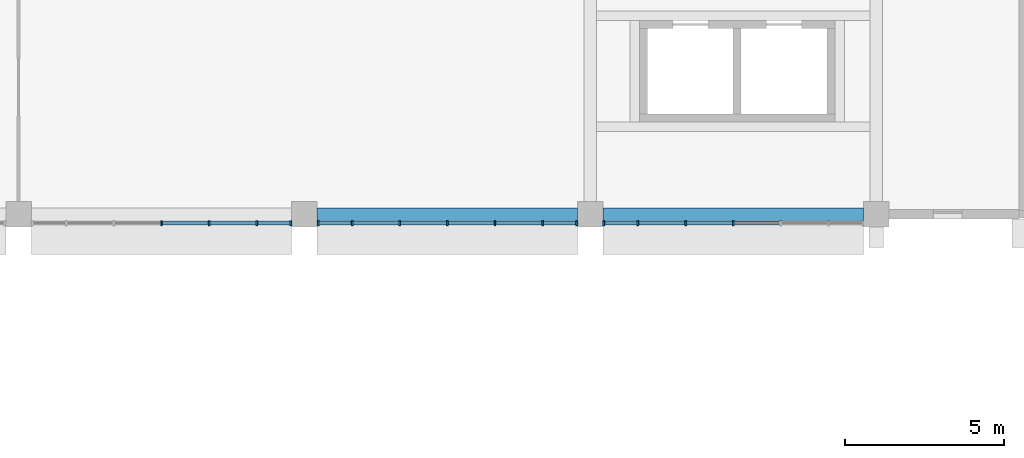
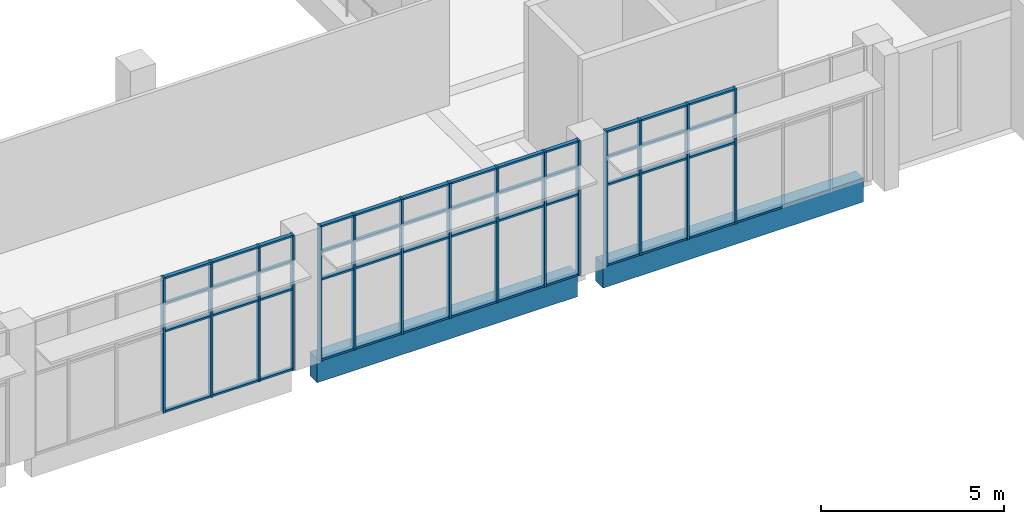
# One storey, part 5 of 79: 64 members, 2 beams, 3 elements without a shape of their own.
"""IFC4 building model written with IfcOpenShell, lengths in metres."""

from ifc_helpers import new_model, si_unit, direction, frame, origin, origin_2d, place, context, subcontext, project, spatial, rectangle, extrude, material, layer, layer_set, material_profile, profile_set, type_object, element, aggregate, save


model = new_model("IFC4")

# Units and contexts
model_context = context("Model", 3, precision=1e-05, world=origin(), true_north=direction((0.0, 1.0)))
body_context = subcontext(model_context, "Body", "Model", "MODEL_VIEW")
ifc_project = project(units=[si_unit("LENGTHUNIT", "METRE"), si_unit("AREAUNIT", "SQUARE_METRE"), si_unit("VOLUMEUNIT", "CUBIC_METRE"), si_unit("PLANEANGLEUNIT", "RADIAN"), si_unit("MASSUNIT", "GRAM", prefix="KILO")], contexts=[model_context])

# Site, building, storey
site_placement = place(None, origin())
site = spatial("IfcSite", under=ifc_project, at=site_placement, CompositionType="ELEMENT")
building_placement = place(site_placement, origin())
building = spatial("IfcBuilding", under=site, at=building_placement, Name="Guidao Yard Department Store", CompositionType="ELEMENT")
storey_placement = place(building_placement, frame((0.0, 0.0, 15.0)))
storey = spatial("IfcBuildingStorey", under=building, at=storey_placement, Name="L03", CompositionType="ELEMENT", Elevation=15.0)

# Curtain wall, members
ifc_material_1 = material(Name="Aluminium and glass", Category="aluminium")
ifc_layer = layer(ifc_material_1, 0.159912109375)
ifc_layer_set = layer_set([ifc_layer], Name="Hall front curtain wall CW2 1500 module")
curtain_wall_type = type_object("IfcCurtainWallType", Name="Hall front curtain wall CW2 1500 module", PredefinedType="NOTDEFINED", material=ifc_layer_set)
curtain_wall_1_placement = place(storey_placement, origin())
curtain_wall_1 = element("IfcCurtainWall", 1, at=curtain_wall_1_placement, inside=storey, type_object=curtain_wall_type, Name="Hall front curtain wall", PredefinedType="NOTDEFINED")
ifc_material_2 = material(Name="Aluminium 6063-T5", Category="aluminium")
ifc_material_profile_1 = material_profile(ifc_material_2, rectangle(XDim=0.06005859375, YDim=0.159912109375, at=origin_2d()), Name="Mullion M1 60 x 160 aluminium pressure plate")
ifc_profile_set_1 = profile_set([ifc_material_profile_1], Name="Aluminium 6063-T5")
member_type_1 = type_object("IfcMemberType", Name="Mullion M1 60 x 160 aluminium pressure plate", PredefinedType="MULLION", material=ifc_profile_set_1)
member_1_placement = place(storey_placement, frame((31.5, 44.719970703125, 0.0), z_axis=(0.0, 0.0, 1.0), x_axis=(-1.0, 0.0, 0.0)))
member_1 = element("IfcMember", 2, at=member_1_placement, type_object=member_type_1, Name="CW-HF-L03-03 mullion 4", PredefinedType="MULLION", context=body_context, shape_type="SweptSolid", body=[
    extrude(rectangle(XDim=0.06005859375, YDim=0.159912109375, at=origin_2d()), origin(), (0.0, 0.0, 1.0), 4.5),
])
member_2_placement = place(storey_placement, frame((33.0, 44.719970703125, 0.0), z_axis=(0.0, 0.0, 1.0), x_axis=(-1.0, 0.0, 0.0)))
member_2 = element("IfcMember", 3, at=member_2_placement, type_object=member_type_1, Name="CW-HF-L03-03 mullion 5", PredefinedType="MULLION", context=body_context, shape_type="SweptSolid", body=[
    extrude(rectangle(XDim=0.06005859375, YDim=0.159912109375, at=origin_2d()), origin(), (0.0, 0.0, 1.0), 4.5),
])
member_3_placement = place(storey_placement, frame((34.5, 44.719970703125, 0.0), z_axis=(0.0, 0.0, 1.0), x_axis=(-1.0, 0.0, 0.0)))
member_3 = element("IfcMember", 4, at=member_3_placement, type_object=member_type_1, Name="CW-HF-L03-03 mullion 6", PredefinedType="MULLION", context=body_context, shape_type="SweptSolid", body=[
    extrude(rectangle(XDim=0.06005859375, YDim=0.159912109375, at=origin_2d()), origin(), (0.0, 0.0, 1.0), 4.5),
])
member_4_placement = place(storey_placement, frame((35.570068359375, 44.719970703125, 0.0), z_axis=(0.0, 0.0, 1.0), x_axis=(-1.0, 0.0, 0.0)))
member_4 = element("IfcMember", 5, at=member_4_placement, type_object=member_type_1, Name="CW-HF-L03-03 mullion 7", PredefinedType="MULLION", context=body_context, shape_type="SweptSolid", body=[
    extrude(rectangle(XDim=0.06005859375, YDim=0.159912109375, at=origin_2d()), origin(), (0.0, 0.0, 1.0), 4.5),
])

curtain_wall_2_placement = place(storey_placement, origin())
curtain_wall_2 = element("IfcCurtainWall", 6, at=curtain_wall_2_placement, inside=storey, type_object=curtain_wall_type, Name="Hall front curtain wall", PredefinedType="NOTDEFINED")
member_5_placement = place(storey_placement, frame((36.429931640625, 44.719970703125, 0.0), z_axis=(0.0, 0.0, 1.0), x_axis=(-1.0, 0.0, 0.0)))
member_5 = element("IfcMember", 7, at=member_5_placement, type_object=member_type_1, Name="CW-HF-L03-04 mullion 1", PredefinedType="MULLION", context=body_context, shape_type="SweptSolid", body=[
    extrude(rectangle(XDim=0.06005859375, YDim=0.159912109375, at=origin_2d()), origin(), (0.0, 0.0, 1.0), 4.5),
])
member_6_placement = place(storey_placement, frame((37.5, 44.719970703125, 0.0), z_axis=(0.0, 0.0, 1.0), x_axis=(-1.0, 0.0, 0.0)))
member_6 = element("IfcMember", 8, at=member_6_placement, type_object=member_type_1, Name="CW-HF-L03-04 mullion 2", PredefinedType="MULLION", context=body_context, shape_type="SweptSolid", body=[
    extrude(rectangle(XDim=0.06005859375, YDim=0.159912109375, at=origin_2d()), origin(), (0.0, 0.0, 1.0), 4.5),
])
member_7_placement = place(storey_placement, frame((39.0, 44.719970703125, 0.0), z_axis=(0.0, 0.0, 1.0), x_axis=(-1.0, 0.0, 0.0)))
member_7 = element("IfcMember", 9, at=member_7_placement, type_object=member_type_1, Name="CW-HF-L03-04 mullion 3", PredefinedType="MULLION", context=body_context, shape_type="SweptSolid", body=[
    extrude(rectangle(XDim=0.06005859375, YDim=0.159912109375, at=origin_2d()), origin(), (0.0, 0.0, 1.0), 4.5),
])
member_8_placement = place(storey_placement, frame((40.5, 44.719970703125, 0.0), z_axis=(0.0, 0.0, 1.0), x_axis=(-1.0, 0.0, 0.0)))
member_8 = element("IfcMember", 10, at=member_8_placement, type_object=member_type_1, Name="CW-HF-L03-04 mullion 4", PredefinedType="MULLION", context=body_context, shape_type="SweptSolid", body=[
    extrude(rectangle(XDim=0.06005859375, YDim=0.159912109375, at=origin_2d()), origin(), (0.0, 0.0, 1.0), 4.5),
])
member_9_placement = place(storey_placement, frame((42.0, 44.719970703125, 0.0), z_axis=(0.0, 0.0, 1.0), x_axis=(-1.0, 0.0, 0.0)))
member_9 = element("IfcMember", 11, at=member_9_placement, type_object=member_type_1, Name="CW-HF-L03-04 mullion 5", PredefinedType="MULLION", context=body_context, shape_type="SweptSolid", body=[
    extrude(rectangle(XDim=0.06005859375, YDim=0.159912109375, at=origin_2d()), origin(), (0.0, 0.0, 1.0), 4.5),
])
member_10_placement = place(storey_placement, frame((43.5, 44.719970703125, 0.0), z_axis=(0.0, 0.0, 1.0), x_axis=(-1.0, 0.0, 0.0)))
member_10 = element("IfcMember", 12, at=member_10_placement, type_object=member_type_1, Name="CW-HF-L03-04 mullion 6", PredefinedType="MULLION", context=body_context, shape_type="SweptSolid", body=[
    extrude(rectangle(XDim=0.06005859375, YDim=0.159912109375, at=origin_2d()), origin(), (0.0, 0.0, 1.0), 4.5),
])
member_11_placement = place(storey_placement, frame((44.570068359375, 44.719970703125, 0.0), z_axis=(0.0, 0.0, 1.0), x_axis=(-1.0, 0.0, 0.0)))
member_11 = element("IfcMember", 13, at=member_11_placement, type_object=member_type_1, Name="CW-HF-L03-04 mullion 7", PredefinedType="MULLION", context=body_context, shape_type="SweptSolid", body=[
    extrude(rectangle(XDim=0.06005859375, YDim=0.159912109375, at=origin_2d()), origin(), (0.0, 0.0, 1.0), 4.5),
])

curtain_wall_3_placement = place(storey_placement, origin())
curtain_wall_3 = element("IfcCurtainWall", 14, at=curtain_wall_3_placement, inside=storey, type_object=curtain_wall_type, Name="Hall front curtain wall", PredefinedType="NOTDEFINED")
member_12_placement = place(storey_placement, frame((45.429931640625, 44.719970703125, 0.0), z_axis=(0.0, 0.0, 1.0), x_axis=(-1.0, 0.0, 0.0)))
member_12 = element("IfcMember", 15, at=member_12_placement, type_object=member_type_1, Name="CW-HF-L03-05 mullion 1", PredefinedType="MULLION", context=body_context, shape_type="SweptSolid", body=[
    extrude(rectangle(XDim=0.06005859375, YDim=0.159912109375, at=origin_2d()), origin(), (0.0, 0.0, 1.0), 4.5),
])
member_13_placement = place(storey_placement, frame((46.5, 44.719970703125, 0.0), z_axis=(0.0, 0.0, 1.0), x_axis=(-1.0, 0.0, 0.0)))
member_13 = element("IfcMember", 16, at=member_13_placement, type_object=member_type_1, Name="CW-HF-L03-05 mullion 2", PredefinedType="MULLION", context=body_context, shape_type="SweptSolid", body=[
    extrude(rectangle(XDim=0.06005859375, YDim=0.159912109375, at=origin_2d()), origin(), (0.0, 0.0, 1.0), 4.5),
])
member_14_placement = place(storey_placement, frame((48.0, 44.719970703125, 0.0), z_axis=(0.0, 0.0, 1.0), x_axis=(-1.0, 0.0, 0.0)))
member_14 = element("IfcMember", 17, at=member_14_placement, type_object=member_type_1, Name="CW-HF-L03-05 mullion 3", PredefinedType="MULLION", context=body_context, shape_type="SweptSolid", body=[
    extrude(rectangle(XDim=0.06005859375, YDim=0.159912109375, at=origin_2d()), origin(), (0.0, 0.0, 1.0), 4.5),
])
member_15_placement = place(storey_placement, frame((49.5, 44.719970703125, 0.0), z_axis=(0.0, 0.0, 1.0), x_axis=(-1.0, 0.0, 0.0)))
member_15 = element("IfcMember", 18, at=member_15_placement, type_object=member_type_1, Name="CW-HF-L03-05 mullion 4", PredefinedType="MULLION", context=body_context, shape_type="SweptSolid", body=[
    extrude(rectangle(XDim=0.06005859375, YDim=0.159912109375, at=origin_2d()), origin(), (0.0, 0.0, 1.0), 4.5),
])

# Beams
ifc_material_3 = material(Name="Concrete C40", Category="concrete")
ifc_material_profile_2 = material_profile(ifc_material_3, rectangle(XDim=0.39990234375, YDim=0.800048828125, at=origin_2d()), Name="Spandrel beam 400 x 800 C40")
ifc_profile_set_2 = profile_set([ifc_material_profile_2], Name="Concrete C40")
beam_type = type_object("IfcBeamType", Name="Spandrel beam 400 x 800 C40", PredefinedType="SPANDREL", material=ifc_profile_set_2)
for number, where, z_axis, x_axis, name in (
    (19, (36.39990234375, 45.0, -0.39990234375), (1.0, 0.0, 0.0), (0.0, 1.0, 0.0), "Beam EB04"),
    (20, (45.39990234375, 45.0, -0.39990234375), (1.0, 0.0, 0.0), (0.0, 1.0, 0.0), "Beam EB05"),
):
    element("IfcBeam", number, at=place(storey_placement, frame(where, z_axis=z_axis, x_axis=x_axis)), inside=storey, type_object=beam_type, Name=name, PredefinedType="SPANDREL", context=body_context, shape_type="SweptSolid", body=[
        extrude(rectangle(XDim=0.39990234375, YDim=0.800048828125, at=origin_2d()), origin(), (0.0, 0.0, 1.0), 8.2001953125),
    ])

# Member
ifc_material_4 = material(Name="Aluminium 6063-T5", Category="aluminium")
ifc_material_profile_3 = material_profile(ifc_material_4, rectangle(XDim=0.1201171875, YDim=0.06005859375, at=origin_2d()), Name="Transom T1 60 x 120 aluminium pressure plate")
ifc_profile_set_3 = profile_set([ifc_material_profile_3], Name="Aluminium 6063-T5")
member_type_2 = type_object("IfcMemberType", Name="Transom T1 60 x 120 aluminium pressure plate", PredefinedType="USERDEFINED", material=ifc_profile_set_3)
member_16_placement = place(storey_placement, frame((32.969970703125, 44.719970703125, 0.030029296875), z_axis=(-1.0, 0.0, 0.0), x_axis=(0.0, -1.0, 0.0)))
member_16 = element("IfcMember", 21, at=member_16_placement, type_object=member_type_2, Name="CW-HF-L03-03 transom 4.1", ObjectType="TRANSOM", PredefinedType="USERDEFINED", context=body_context, shape_type="SweptSolid", body=[
    extrude(rectangle(XDim=0.1201171875, YDim=0.06005859375, at=origin_2d()), origin(), (0.0, 0.0, 1.0), 1.43994140625),
])

member_17_placement = place(storey_placement, frame((32.969970703125, 44.719970703125, 2.699951171875), z_axis=(-1.0, 0.0, 0.0), x_axis=(0.0, -1.0, 0.0)))
member_17 = element("IfcMember", 22, at=member_17_placement, type_object=member_type_2, Name="CW-HF-L03-03 transom 4.2", ObjectType="TRANSOM", PredefinedType="USERDEFINED", context=body_context, shape_type="SweptSolid", body=[
    extrude(rectangle(XDim=0.1201171875, YDim=0.06005859375, at=origin_2d()), origin(), (0.0, 0.0, 1.0), 1.43994140625),
])

member_18_placement = place(storey_placement, frame((32.969970703125, 44.719970703125, 3.60009765625), z_axis=(-1.0, 0.0, 0.0), x_axis=(0.0, -1.0, 0.0)))
member_18 = element("IfcMember", 23, at=member_18_placement, type_object=member_type_2, Name="CW-HF-L03-03 transom 4.3", ObjectType="TRANSOM", PredefinedType="USERDEFINED", context=body_context, shape_type="SweptSolid", body=[
    extrude(rectangle(XDim=0.1201171875, YDim=0.06005859375, at=origin_2d()), origin(), (0.0, 0.0, 1.0), 1.43994140625),
])

member_19_placement = place(storey_placement, frame((32.969970703125, 44.719970703125, 4.469970703125), z_axis=(-1.0, 0.0, 0.0), x_axis=(0.0, -1.0, 0.0)))
member_19 = element("IfcMember", 24, at=member_19_placement, type_object=member_type_2, Name="CW-HF-L03-03 transom 4.4", ObjectType="TRANSOM", PredefinedType="USERDEFINED", context=body_context, shape_type="SweptSolid", body=[
    extrude(rectangle(XDim=0.1201171875, YDim=0.06005859375, at=origin_2d()), origin(), (0.0, 0.0, 1.0), 1.43994140625),
])

member_20_placement = place(storey_placement, frame((34.469970703125, 44.719970703125, 0.030029296875), z_axis=(-1.0, 0.0, 0.0), x_axis=(0.0, -1.0, 0.0)))
member_20 = element("IfcMember", 25, at=member_20_placement, type_object=member_type_2, Name="CW-HF-L03-03 transom 5.1", ObjectType="TRANSOM", PredefinedType="USERDEFINED", context=body_context, shape_type="SweptSolid", body=[
    extrude(rectangle(XDim=0.1201171875, YDim=0.06005859375, at=origin_2d()), origin(), (0.0, 0.0, 1.0), 1.43994140625),
])

member_21_placement = place(storey_placement, frame((34.469970703125, 44.719970703125, 2.699951171875), z_axis=(-1.0, 0.0, 0.0), x_axis=(0.0, -1.0, 0.0)))
member_21 = element("IfcMember", 26, at=member_21_placement, type_object=member_type_2, Name="CW-HF-L03-03 transom 5.2", ObjectType="TRANSOM", PredefinedType="USERDEFINED", context=body_context, shape_type="SweptSolid", body=[
    extrude(rectangle(XDim=0.1201171875, YDim=0.06005859375, at=origin_2d()), origin(), (0.0, 0.0, 1.0), 1.43994140625),
])

member_22_placement = place(storey_placement, frame((34.469970703125, 44.719970703125, 3.60009765625), z_axis=(-1.0, 0.0, 0.0), x_axis=(0.0, -1.0, 0.0)))
member_22 = element("IfcMember", 27, at=member_22_placement, type_object=member_type_2, Name="CW-HF-L03-03 transom 5.3", ObjectType="TRANSOM", PredefinedType="USERDEFINED", context=body_context, shape_type="SweptSolid", body=[
    extrude(rectangle(XDim=0.1201171875, YDim=0.06005859375, at=origin_2d()), origin(), (0.0, 0.0, 1.0), 1.43994140625),
])

member_23_placement = place(storey_placement, frame((34.469970703125, 44.719970703125, 4.469970703125), z_axis=(-1.0, 0.0, 0.0), x_axis=(0.0, -1.0, 0.0)))
member_23 = element("IfcMember", 28, at=member_23_placement, type_object=member_type_2, Name="CW-HF-L03-03 transom 5.4", ObjectType="TRANSOM", PredefinedType="USERDEFINED", context=body_context, shape_type="SweptSolid", body=[
    extrude(rectangle(XDim=0.1201171875, YDim=0.06005859375, at=origin_2d()), origin(), (0.0, 0.0, 1.0), 1.43994140625),
])

member_24_placement = place(storey_placement, frame((35.5400390625, 44.719970703125, 0.030029296875), z_axis=(-1.0, 0.0, 0.0), x_axis=(0.0, -1.0, 0.0)))
member_24 = element("IfcMember", 29, at=member_24_placement, type_object=member_type_2, Name="CW-HF-L03-03 transom 6.1", ObjectType="TRANSOM", PredefinedType="USERDEFINED", context=body_context, shape_type="SweptSolid", body=[
    extrude(rectangle(XDim=0.1201171875, YDim=0.06005859375, at=origin_2d()), origin(), (0.0, 0.0, 1.0), 1.010009765625),
])

member_25_placement = place(storey_placement, frame((35.5400390625, 44.719970703125, 2.699951171875), z_axis=(-1.0, 0.0, 0.0), x_axis=(0.0, -1.0, 0.0)))
member_25 = element("IfcMember", 30, at=member_25_placement, type_object=member_type_2, Name="CW-HF-L03-03 transom 6.2", ObjectType="TRANSOM", PredefinedType="USERDEFINED", context=body_context, shape_type="SweptSolid", body=[
    extrude(rectangle(XDim=0.1201171875, YDim=0.06005859375, at=origin_2d()), origin(), (0.0, 0.0, 1.0), 1.010009765625),
])

member_26_placement = place(storey_placement, frame((35.5400390625, 44.719970703125, 3.60009765625), z_axis=(-1.0, 0.0, 0.0), x_axis=(0.0, -1.0, 0.0)))
member_26 = element("IfcMember", 31, at=member_26_placement, type_object=member_type_2, Name="CW-HF-L03-03 transom 6.3", ObjectType="TRANSOM", PredefinedType="USERDEFINED", context=body_context, shape_type="SweptSolid", body=[
    extrude(rectangle(XDim=0.1201171875, YDim=0.06005859375, at=origin_2d()), origin(), (0.0, 0.0, 1.0), 1.010009765625),
])

member_27_placement = place(storey_placement, frame((35.5400390625, 44.719970703125, 4.469970703125), z_axis=(-1.0, 0.0, 0.0), x_axis=(0.0, -1.0, 0.0)))
member_27 = element("IfcMember", 32, at=member_27_placement, type_object=member_type_2, Name="CW-HF-L03-03 transom 6.4", ObjectType="TRANSOM", PredefinedType="USERDEFINED", context=body_context, shape_type="SweptSolid", body=[
    extrude(rectangle(XDim=0.1201171875, YDim=0.06005859375, at=origin_2d()), origin(), (0.0, 0.0, 1.0), 1.010009765625),
])

aggregate(curtain_wall_1, [member_1, member_2, member_3, member_4, member_16, member_17, member_18, member_19, member_20, member_21, member_22, member_23, member_24, member_25, member_26, member_27])

member_28_placement = place(storey_placement, frame((37.469970703125, 44.719970703125, 0.030029296875), z_axis=(-1.0, 0.0, 0.0), x_axis=(0.0, -1.0, 0.0)))
member_28 = element("IfcMember", 33, at=member_28_placement, type_object=member_type_2, Name="CW-HF-L03-04 transom 1.1", ObjectType="TRANSOM", PredefinedType="USERDEFINED", context=body_context, shape_type="SweptSolid", body=[
    extrude(rectangle(XDim=0.1201171875, YDim=0.06005859375, at=origin_2d()), origin(), (0.0, 0.0, 1.0), 1.010009765625),
])

member_29_placement = place(storey_placement, frame((37.469970703125, 44.719970703125, 2.699951171875), z_axis=(-1.0, 0.0, 0.0), x_axis=(0.0, -1.0, 0.0)))
member_29 = element("IfcMember", 34, at=member_29_placement, type_object=member_type_2, Name="CW-HF-L03-04 transom 1.2", ObjectType="TRANSOM", PredefinedType="USERDEFINED", context=body_context, shape_type="SweptSolid", body=[
    extrude(rectangle(XDim=0.1201171875, YDim=0.06005859375, at=origin_2d()), origin(), (0.0, 0.0, 1.0), 1.010009765625),
])

member_30_placement = place(storey_placement, frame((37.469970703125, 44.719970703125, 3.60009765625), z_axis=(-1.0, 0.0, 0.0), x_axis=(0.0, -1.0, 0.0)))
member_30 = element("IfcMember", 35, at=member_30_placement, type_object=member_type_2, Name="CW-HF-L03-04 transom 1.3", ObjectType="TRANSOM", PredefinedType="USERDEFINED", context=body_context, shape_type="SweptSolid", body=[
    extrude(rectangle(XDim=0.1201171875, YDim=0.06005859375, at=origin_2d()), origin(), (0.0, 0.0, 1.0), 1.010009765625),
])

member_31_placement = place(storey_placement, frame((37.469970703125, 44.719970703125, 4.469970703125), z_axis=(-1.0, 0.0, 0.0), x_axis=(0.0, -1.0, 0.0)))
member_31 = element("IfcMember", 36, at=member_31_placement, type_object=member_type_2, Name="CW-HF-L03-04 transom 1.4", ObjectType="TRANSOM", PredefinedType="USERDEFINED", context=body_context, shape_type="SweptSolid", body=[
    extrude(rectangle(XDim=0.1201171875, YDim=0.06005859375, at=origin_2d()), origin(), (0.0, 0.0, 1.0), 1.010009765625),
])

member_32_placement = place(storey_placement, frame((38.969970703125, 44.719970703125, 0.030029296875), z_axis=(-1.0, 0.0, 0.0), x_axis=(0.0, -1.0, 0.0)))
member_32 = element("IfcMember", 37, at=member_32_placement, type_object=member_type_2, Name="CW-HF-L03-04 transom 2.1", ObjectType="TRANSOM", PredefinedType="USERDEFINED", context=body_context, shape_type="SweptSolid", body=[
    extrude(rectangle(XDim=0.1201171875, YDim=0.06005859375, at=origin_2d()), origin(), (0.0, 0.0, 1.0), 1.43994140625),
])

member_33_placement = place(storey_placement, frame((38.969970703125, 44.719970703125, 2.699951171875), z_axis=(-1.0, 0.0, 0.0), x_axis=(0.0, -1.0, 0.0)))
member_33 = element("IfcMember", 38, at=member_33_placement, type_object=member_type_2, Name="CW-HF-L03-04 transom 2.2", ObjectType="TRANSOM", PredefinedType="USERDEFINED", context=body_context, shape_type="SweptSolid", body=[
    extrude(rectangle(XDim=0.1201171875, YDim=0.06005859375, at=origin_2d()), origin(), (0.0, 0.0, 1.0), 1.43994140625),
])

member_34_placement = place(storey_placement, frame((38.969970703125, 44.719970703125, 3.60009765625), z_axis=(-1.0, 0.0, 0.0), x_axis=(0.0, -1.0, 0.0)))
member_34 = element("IfcMember", 39, at=member_34_placement, type_object=member_type_2, Name="CW-HF-L03-04 transom 2.3", ObjectType="TRANSOM", PredefinedType="USERDEFINED", context=body_context, shape_type="SweptSolid", body=[
    extrude(rectangle(XDim=0.1201171875, YDim=0.06005859375, at=origin_2d()), origin(), (0.0, 0.0, 1.0), 1.43994140625),
])

member_35_placement = place(storey_placement, frame((38.969970703125, 44.719970703125, 4.469970703125), z_axis=(-1.0, 0.0, 0.0), x_axis=(0.0, -1.0, 0.0)))
member_35 = element("IfcMember", 40, at=member_35_placement, type_object=member_type_2, Name="CW-HF-L03-04 transom 2.4", ObjectType="TRANSOM", PredefinedType="USERDEFINED", context=body_context, shape_type="SweptSolid", body=[
    extrude(rectangle(XDim=0.1201171875, YDim=0.06005859375, at=origin_2d()), origin(), (0.0, 0.0, 1.0), 1.43994140625),
])

member_36_placement = place(storey_placement, frame((40.469970703125, 44.719970703125, 0.030029296875), z_axis=(-1.0, 0.0, 0.0), x_axis=(0.0, -1.0, 0.0)))
member_36 = element("IfcMember", 41, at=member_36_placement, type_object=member_type_2, Name="CW-HF-L03-04 transom 3.1", ObjectType="TRANSOM", PredefinedType="USERDEFINED", context=body_context, shape_type="SweptSolid", body=[
    extrude(rectangle(XDim=0.1201171875, YDim=0.06005859375, at=origin_2d()), origin(), (0.0, 0.0, 1.0), 1.43994140625),
])

member_37_placement = place(storey_placement, frame((40.469970703125, 44.719970703125, 2.699951171875), z_axis=(-1.0, 0.0, 0.0), x_axis=(0.0, -1.0, 0.0)))
member_37 = element("IfcMember", 42, at=member_37_placement, type_object=member_type_2, Name="CW-HF-L03-04 transom 3.2", ObjectType="TRANSOM", PredefinedType="USERDEFINED", context=body_context, shape_type="SweptSolid", body=[
    extrude(rectangle(XDim=0.1201171875, YDim=0.06005859375, at=origin_2d()), origin(), (0.0, 0.0, 1.0), 1.43994140625),
])

member_38_placement = place(storey_placement, frame((40.469970703125, 44.719970703125, 3.60009765625), z_axis=(-1.0, 0.0, 0.0), x_axis=(0.0, -1.0, 0.0)))
member_38 = element("IfcMember", 43, at=member_38_placement, type_object=member_type_2, Name="CW-HF-L03-04 transom 3.3", ObjectType="TRANSOM", PredefinedType="USERDEFINED", context=body_context, shape_type="SweptSolid", body=[
    extrude(rectangle(XDim=0.1201171875, YDim=0.06005859375, at=origin_2d()), origin(), (0.0, 0.0, 1.0), 1.43994140625),
])

member_39_placement = place(storey_placement, frame((40.469970703125, 44.719970703125, 4.469970703125), z_axis=(-1.0, 0.0, 0.0), x_axis=(0.0, -1.0, 0.0)))
member_39 = element("IfcMember", 44, at=member_39_placement, type_object=member_type_2, Name="CW-HF-L03-04 transom 3.4", ObjectType="TRANSOM", PredefinedType="USERDEFINED", context=body_context, shape_type="SweptSolid", body=[
    extrude(rectangle(XDim=0.1201171875, YDim=0.06005859375, at=origin_2d()), origin(), (0.0, 0.0, 1.0), 1.43994140625),
])

member_40_placement = place(storey_placement, frame((41.969970703125, 44.719970703125, 0.030029296875), z_axis=(-1.0, 0.0, 0.0), x_axis=(0.0, -1.0, 0.0)))
member_40 = element("IfcMember", 45, at=member_40_placement, type_object=member_type_2, Name="CW-HF-L03-04 transom 4.1", ObjectType="TRANSOM", PredefinedType="USERDEFINED", context=body_context, shape_type="SweptSolid", body=[
    extrude(rectangle(XDim=0.1201171875, YDim=0.06005859375, at=origin_2d()), origin(), (0.0, 0.0, 1.0), 1.43994140625),
])

member_41_placement = place(storey_placement, frame((41.969970703125, 44.719970703125, 2.699951171875), z_axis=(-1.0, 0.0, 0.0), x_axis=(0.0, -1.0, 0.0)))
member_41 = element("IfcMember", 46, at=member_41_placement, type_object=member_type_2, Name="CW-HF-L03-04 transom 4.2", ObjectType="TRANSOM", PredefinedType="USERDEFINED", context=body_context, shape_type="SweptSolid", body=[
    extrude(rectangle(XDim=0.1201171875, YDim=0.06005859375, at=origin_2d()), origin(), (0.0, 0.0, 1.0), 1.43994140625),
])

member_42_placement = place(storey_placement, frame((41.969970703125, 44.719970703125, 3.60009765625), z_axis=(-1.0, 0.0, 0.0), x_axis=(0.0, -1.0, 0.0)))
member_42 = element("IfcMember", 47, at=member_42_placement, type_object=member_type_2, Name="CW-HF-L03-04 transom 4.3", ObjectType="TRANSOM", PredefinedType="USERDEFINED", context=body_context, shape_type="SweptSolid", body=[
    extrude(rectangle(XDim=0.1201171875, YDim=0.06005859375, at=origin_2d()), origin(), (0.0, 0.0, 1.0), 1.43994140625),
])

member_43_placement = place(storey_placement, frame((41.969970703125, 44.719970703125, 4.469970703125), z_axis=(-1.0, 0.0, 0.0), x_axis=(0.0, -1.0, 0.0)))
member_43 = element("IfcMember", 48, at=member_43_placement, type_object=member_type_2, Name="CW-HF-L03-04 transom 4.4", ObjectType="TRANSOM", PredefinedType="USERDEFINED", context=body_context, shape_type="SweptSolid", body=[
    extrude(rectangle(XDim=0.1201171875, YDim=0.06005859375, at=origin_2d()), origin(), (0.0, 0.0, 1.0), 1.43994140625),
])

member_44_placement = place(storey_placement, frame((43.469970703125, 44.719970703125, 0.030029296875), z_axis=(-1.0, 0.0, 0.0), x_axis=(0.0, -1.0, 0.0)))
member_44 = element("IfcMember", 49, at=member_44_placement, type_object=member_type_2, Name="CW-HF-L03-04 transom 5.1", ObjectType="TRANSOM", PredefinedType="USERDEFINED", context=body_context, shape_type="SweptSolid", body=[
    extrude(rectangle(XDim=0.1201171875, YDim=0.06005859375, at=origin_2d()), origin(), (0.0, 0.0, 1.0), 1.43994140625),
])

member_45_placement = place(storey_placement, frame((43.469970703125, 44.719970703125, 2.699951171875), z_axis=(-1.0, 0.0, 0.0), x_axis=(0.0, -1.0, 0.0)))
member_45 = element("IfcMember", 50, at=member_45_placement, type_object=member_type_2, Name="CW-HF-L03-04 transom 5.2", ObjectType="TRANSOM", PredefinedType="USERDEFINED", context=body_context, shape_type="SweptSolid", body=[
    extrude(rectangle(XDim=0.1201171875, YDim=0.06005859375, at=origin_2d()), origin(), (0.0, 0.0, 1.0), 1.43994140625),
])

member_46_placement = place(storey_placement, frame((43.469970703125, 44.719970703125, 3.60009765625), z_axis=(-1.0, 0.0, 0.0), x_axis=(0.0, -1.0, 0.0)))
member_46 = element("IfcMember", 51, at=member_46_placement, type_object=member_type_2, Name="CW-HF-L03-04 transom 5.3", ObjectType="TRANSOM", PredefinedType="USERDEFINED", context=body_context, shape_type="SweptSolid", body=[
    extrude(rectangle(XDim=0.1201171875, YDim=0.06005859375, at=origin_2d()), origin(), (0.0, 0.0, 1.0), 1.43994140625),
])

member_47_placement = place(storey_placement, frame((43.469970703125, 44.719970703125, 4.469970703125), z_axis=(-1.0, 0.0, 0.0), x_axis=(0.0, -1.0, 0.0)))
member_47 = element("IfcMember", 52, at=member_47_placement, type_object=member_type_2, Name="CW-HF-L03-04 transom 5.4", ObjectType="TRANSOM", PredefinedType="USERDEFINED", context=body_context, shape_type="SweptSolid", body=[
    extrude(rectangle(XDim=0.1201171875, YDim=0.06005859375, at=origin_2d()), origin(), (0.0, 0.0, 1.0), 1.43994140625),
])

member_48_placement = place(storey_placement, frame((44.5400390625, 44.719970703125, 0.030029296875), z_axis=(-1.0, 0.0, 0.0), x_axis=(0.0, -1.0, 0.0)))
member_48 = element("IfcMember", 53, at=member_48_placement, type_object=member_type_2, Name="CW-HF-L03-04 transom 6.1", ObjectType="TRANSOM", PredefinedType="USERDEFINED", context=body_context, shape_type="SweptSolid", body=[
    extrude(rectangle(XDim=0.1201171875, YDim=0.06005859375, at=origin_2d()), origin(), (0.0, 0.0, 1.0), 1.010009765625),
])

member_49_placement = place(storey_placement, frame((44.5400390625, 44.719970703125, 2.699951171875), z_axis=(-1.0, 0.0, 0.0), x_axis=(0.0, -1.0, 0.0)))
member_49 = element("IfcMember", 54, at=member_49_placement, type_object=member_type_2, Name="CW-HF-L03-04 transom 6.2", ObjectType="TRANSOM", PredefinedType="USERDEFINED", context=body_context, shape_type="SweptSolid", body=[
    extrude(rectangle(XDim=0.1201171875, YDim=0.06005859375, at=origin_2d()), origin(), (0.0, 0.0, 1.0), 1.010009765625),
])

member_50_placement = place(storey_placement, frame((44.5400390625, 44.719970703125, 3.60009765625), z_axis=(-1.0, 0.0, 0.0), x_axis=(0.0, -1.0, 0.0)))
member_50 = element("IfcMember", 55, at=member_50_placement, type_object=member_type_2, Name="CW-HF-L03-04 transom 6.3", ObjectType="TRANSOM", PredefinedType="USERDEFINED", context=body_context, shape_type="SweptSolid", body=[
    extrude(rectangle(XDim=0.1201171875, YDim=0.06005859375, at=origin_2d()), origin(), (0.0, 0.0, 1.0), 1.010009765625),
])

member_51_placement = place(storey_placement, frame((44.5400390625, 44.719970703125, 4.469970703125), z_axis=(-1.0, 0.0, 0.0), x_axis=(0.0, -1.0, 0.0)))
member_51 = element("IfcMember", 56, at=member_51_placement, type_object=member_type_2, Name="CW-HF-L03-04 transom 6.4", ObjectType="TRANSOM", PredefinedType="USERDEFINED", context=body_context, shape_type="SweptSolid", body=[
    extrude(rectangle(XDim=0.1201171875, YDim=0.06005859375, at=origin_2d()), origin(), (0.0, 0.0, 1.0), 1.010009765625),
])

aggregate(curtain_wall_2, [member_5, member_6, member_7, member_8, member_9, member_10, member_11, member_28, member_29, member_30, member_31, member_32, member_33, member_34, member_35, member_36, member_37, member_38, member_39, member_40, member_41, member_42, member_43, member_44, member_45, member_46, member_47, member_48, member_49, member_50, member_51])

member_52_placement = place(storey_placement, frame((46.469970703125, 44.719970703125, 0.030029296875), z_axis=(-1.0, 0.0, 0.0), x_axis=(0.0, -1.0, 0.0)))
member_52 = element("IfcMember", 57, at=member_52_placement, type_object=member_type_2, Name="CW-HF-L03-05 transom 1.1", ObjectType="TRANSOM", PredefinedType="USERDEFINED", context=body_context, shape_type="SweptSolid", body=[
    extrude(rectangle(XDim=0.1201171875, YDim=0.06005859375, at=origin_2d()), origin(), (0.0, 0.0, 1.0), 1.010009765625),
])

member_53_placement = place(storey_placement, frame((46.469970703125, 44.719970703125, 2.699951171875), z_axis=(-1.0, 0.0, 0.0), x_axis=(0.0, -1.0, 0.0)))
member_53 = element("IfcMember", 58, at=member_53_placement, type_object=member_type_2, Name="CW-HF-L03-05 transom 1.2", ObjectType="TRANSOM", PredefinedType="USERDEFINED", context=body_context, shape_type="SweptSolid", body=[
    extrude(rectangle(XDim=0.1201171875, YDim=0.06005859375, at=origin_2d()), origin(), (0.0, 0.0, 1.0), 1.010009765625),
])

member_54_placement = place(storey_placement, frame((46.469970703125, 44.719970703125, 3.60009765625), z_axis=(-1.0, 0.0, 0.0), x_axis=(0.0, -1.0, 0.0)))
member_54 = element("IfcMember", 59, at=member_54_placement, type_object=member_type_2, Name="CW-HF-L03-05 transom 1.3", ObjectType="TRANSOM", PredefinedType="USERDEFINED", context=body_context, shape_type="SweptSolid", body=[
    extrude(rectangle(XDim=0.1201171875, YDim=0.06005859375, at=origin_2d()), origin(), (0.0, 0.0, 1.0), 1.010009765625),
])

member_55_placement = place(storey_placement, frame((46.469970703125, 44.719970703125, 4.469970703125), z_axis=(-1.0, 0.0, 0.0), x_axis=(0.0, -1.0, 0.0)))
member_55 = element("IfcMember", 60, at=member_55_placement, type_object=member_type_2, Name="CW-HF-L03-05 transom 1.4", ObjectType="TRANSOM", PredefinedType="USERDEFINED", context=body_context, shape_type="SweptSolid", body=[
    extrude(rectangle(XDim=0.1201171875, YDim=0.06005859375, at=origin_2d()), origin(), (0.0, 0.0, 1.0), 1.010009765625),
])

member_56_placement = place(storey_placement, frame((47.969970703125, 44.719970703125, 0.030029296875), z_axis=(-1.0, 0.0, 0.0), x_axis=(0.0, -1.0, 0.0)))
member_56 = element("IfcMember", 61, at=member_56_placement, type_object=member_type_2, Name="CW-HF-L03-05 transom 2.1", ObjectType="TRANSOM", PredefinedType="USERDEFINED", context=body_context, shape_type="SweptSolid", body=[
    extrude(rectangle(XDim=0.1201171875, YDim=0.06005859375, at=origin_2d()), origin(), (0.0, 0.0, 1.0), 1.43994140625),
])

member_57_placement = place(storey_placement, frame((47.969970703125, 44.719970703125, 2.699951171875), z_axis=(-1.0, 0.0, 0.0), x_axis=(0.0, -1.0, 0.0)))
member_57 = element("IfcMember", 62, at=member_57_placement, type_object=member_type_2, Name="CW-HF-L03-05 transom 2.2", ObjectType="TRANSOM", PredefinedType="USERDEFINED", context=body_context, shape_type="SweptSolid", body=[
    extrude(rectangle(XDim=0.1201171875, YDim=0.06005859375, at=origin_2d()), origin(), (0.0, 0.0, 1.0), 1.43994140625),
])

member_58_placement = place(storey_placement, frame((47.969970703125, 44.719970703125, 3.60009765625), z_axis=(-1.0, 0.0, 0.0), x_axis=(0.0, -1.0, 0.0)))
member_58 = element("IfcMember", 63, at=member_58_placement, type_object=member_type_2, Name="CW-HF-L03-05 transom 2.3", ObjectType="TRANSOM", PredefinedType="USERDEFINED", context=body_context, shape_type="SweptSolid", body=[
    extrude(rectangle(XDim=0.1201171875, YDim=0.06005859375, at=origin_2d()), origin(), (0.0, 0.0, 1.0), 1.43994140625),
])

member_59_placement = place(storey_placement, frame((47.969970703125, 44.719970703125, 4.469970703125), z_axis=(-1.0, 0.0, 0.0), x_axis=(0.0, -1.0, 0.0)))
member_59 = element("IfcMember", 64, at=member_59_placement, type_object=member_type_2, Name="CW-HF-L03-05 transom 2.4", ObjectType="TRANSOM", PredefinedType="USERDEFINED", context=body_context, shape_type="SweptSolid", body=[
    extrude(rectangle(XDim=0.1201171875, YDim=0.06005859375, at=origin_2d()), origin(), (0.0, 0.0, 1.0), 1.43994140625),
])

member_60_placement = place(storey_placement, frame((49.469970703125, 44.719970703125, 0.030029296875), z_axis=(-1.0, 0.0, 0.0), x_axis=(0.0, -1.0, 0.0)))
member_60 = element("IfcMember", 65, at=member_60_placement, type_object=member_type_2, Name="CW-HF-L03-05 transom 3.1", ObjectType="TRANSOM", PredefinedType="USERDEFINED", context=body_context, shape_type="SweptSolid", body=[
    extrude(rectangle(XDim=0.1201171875, YDim=0.06005859375, at=origin_2d()), origin(), (0.0, 0.0, 1.0), 1.43994140625),
])

member_61_placement = place(storey_placement, frame((49.469970703125, 44.719970703125, 2.699951171875), z_axis=(-1.0, 0.0, 0.0), x_axis=(0.0, -1.0, 0.0)))
member_61 = element("IfcMember", 66, at=member_61_placement, type_object=member_type_2, Name="CW-HF-L03-05 transom 3.2", ObjectType="TRANSOM", PredefinedType="USERDEFINED", context=body_context, shape_type="SweptSolid", body=[
    extrude(rectangle(XDim=0.1201171875, YDim=0.06005859375, at=origin_2d()), origin(), (0.0, 0.0, 1.0), 1.43994140625),
])

member_62_placement = place(storey_placement, frame((49.469970703125, 44.719970703125, 3.60009765625), z_axis=(-1.0, 0.0, 0.0), x_axis=(0.0, -1.0, 0.0)))
member_62 = element("IfcMember", 67, at=member_62_placement, type_object=member_type_2, Name="CW-HF-L03-05 transom 3.3", ObjectType="TRANSOM", PredefinedType="USERDEFINED", context=body_context, shape_type="SweptSolid", body=[
    extrude(rectangle(XDim=0.1201171875, YDim=0.06005859375, at=origin_2d()), origin(), (0.0, 0.0, 1.0), 1.43994140625),
])

member_63_placement = place(storey_placement, frame((49.469970703125, 44.719970703125, 4.469970703125), z_axis=(-1.0, 0.0, 0.0), x_axis=(0.0, -1.0, 0.0)))
member_63 = element("IfcMember", 68, at=member_63_placement, type_object=member_type_2, Name="CW-HF-L03-05 transom 3.4", ObjectType="TRANSOM", PredefinedType="USERDEFINED", context=body_context, shape_type="SweptSolid", body=[
    extrude(rectangle(XDim=0.1201171875, YDim=0.06005859375, at=origin_2d()), origin(), (0.0, 0.0, 1.0), 1.43994140625),
])

member_64_placement = place(storey_placement, frame((50.969970703125, 44.719970703125, 0.030029296875), z_axis=(-1.0, 0.0, 0.0), x_axis=(0.0, -1.0, 0.0)))
member_64 = element("IfcMember", 69, at=member_64_placement, type_object=member_type_2, Name="CW-HF-L03-05 transom 4.1", ObjectType="TRANSOM", PredefinedType="USERDEFINED", context=body_context, shape_type="SweptSolid", body=[
    extrude(rectangle(XDim=0.1201171875, YDim=0.06005859375, at=origin_2d()), origin(), (0.0, 0.0, 1.0), 1.43994140625),
])

aggregate(curtain_wall_3, [member_12, member_13, member_14, member_15, member_52, member_53, member_54, member_55, member_56, member_57, member_58, member_59, member_60, member_61, member_62, member_63, member_64])

save(model, "model.ifc")
